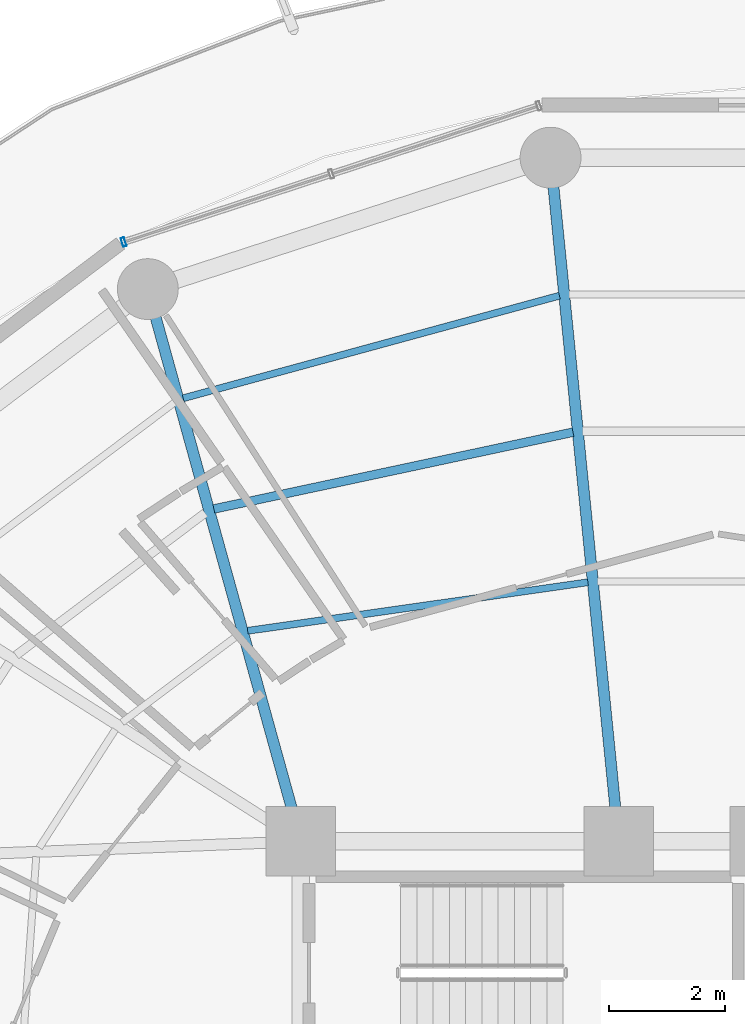
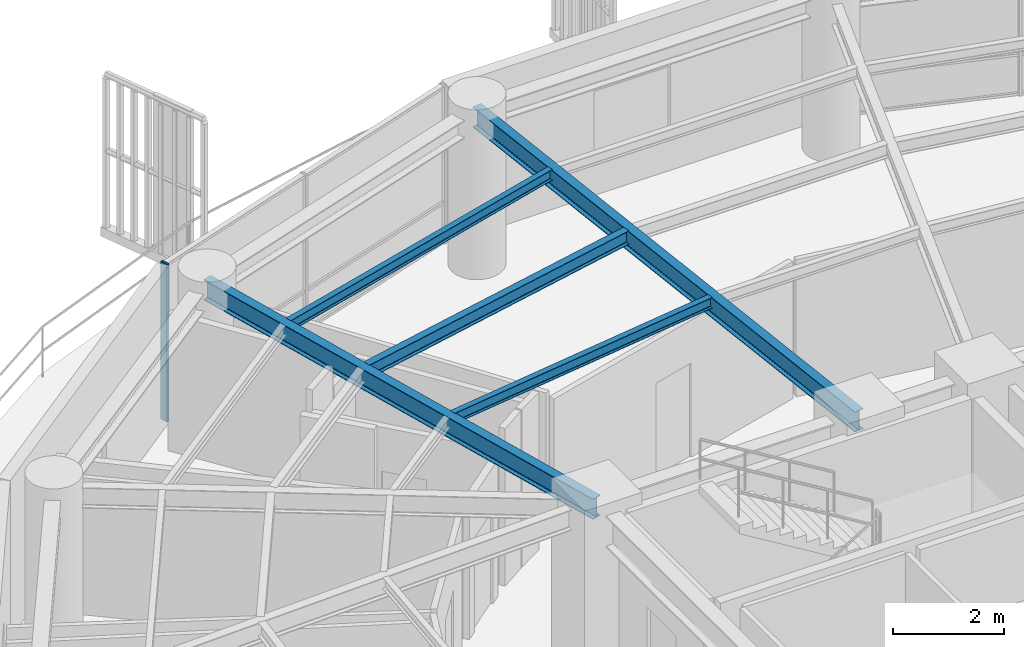
# One storey, part 18 of 31: 5 beams, 1 member, 1 element without a shape of its own.
"""IFC4 building model written with IfcOpenShell, lengths in metres."""

from ifc_helpers import new_model, si_unit, direction, frame, origin, origin_2d, place, context, subcontext, project, spatial, hollow_rectangle, i_section, extrude, material, layer, layer_set, material_profile, profile_set, type_object, element, aggregate, save


model = new_model("IFC4")

# Units and contexts
model_context = context("Model", 3, precision=1e-05, world=origin(), true_north=direction((0.0, 1.0)))
body_context = subcontext(model_context, "Body", "Model", "MODEL_VIEW")
ifc_project = project(units=[si_unit("LENGTHUNIT", "METRE"), si_unit("AREAUNIT", "SQUARE_METRE"), si_unit("VOLUMEUNIT", "CUBIC_METRE"), si_unit("PLANEANGLEUNIT", "RADIAN"), si_unit("MASSUNIT", "GRAM", prefix="KILO")], contexts=[model_context])

# Site, building, storey
site_placement = place(None, origin())
site = spatial("IfcSite", under=ifc_project, at=site_placement, CompositionType="ELEMENT")
building_placement = place(site_placement, origin())
building = spatial("IfcBuilding", under=site, at=building_placement, Name="Kelanora Arch Commons", CompositionType="ELEMENT")
storey_placement = place(building_placement, frame((0.0, 0.0, 196.949951171875)))
storey = spatial("IfcBuildingStorey", under=building, at=storey_placement, Name="L50", CompositionType="ELEMENT", Elevation=196.949951171875)

# Beams
ifc_material_1 = material(Name="Steel S355", Category="steel")
ifc_material_profile_1 = material_profile(ifc_material_1, i_section(OverallWidth=0.14990234375, OverallDepth=0.300048828125, WebThickness=0.007080078125, FlangeThickness=0.0107421875, FilletRadius=0.014892578125, at=origin_2d()), Name="IPE300")
ifc_profile_set_1 = profile_set([ifc_material_profile_1], Name="Steel S355")
beam_type_1 = type_object("IfcBeamType", Name="BM-JST-01", PredefinedType="JOIST", material=ifc_profile_set_1)
beam_1_placement = place(storey_placement, frame((70.69189453125, 72.056396484375, 3.340087890625), z_axis=(-0.977893715981, -0.209102559153, 0.0), x_axis=(0.209102559153, -0.977893715981, 0.0)))
element("IfcBeam", 1, at=beam_1_placement, inside=storey, type_object=beam_type_1, Name="Secondary Chord Joist BJB-10 L50", PredefinedType="JOIST", context=body_context, shape_type="SweptSolid", body=[
    extrude(i_section(OverallWidth=0.14990234375, OverallDepth=0.300048828125, WebThickness=0.007080078125, FlangeThickness=0.0107421875, FilletRadius=0.014892578125, at=origin_2d()), origin(), (0.0, 0.0, 1.0), 6.332763671875),
])
ifc_material_profile_2 = material_profile(ifc_material_1, i_section(OverallWidth=0.1201171875, OverallDepth=0.239990234375, WebThickness=0.006103515625, FlangeThickness=0.009765625, FilletRadius=0.014892578125, at=origin_2d()), Name="IPE240")
ifc_profile_set_2 = profile_set([ifc_material_profile_2], Name="Steel S355")
beam_type_2 = type_object("IfcBeamType", Name="BM-JST-02", PredefinedType="JOIST", material=ifc_profile_set_2)
beam_2_placement = place(storey_placement, frame((70.94921875, 69.46826171875, 3.3701171875), z_axis=(-0.989977480435, -0.141225310164, 0.0), x_axis=(0.141225310164, -0.989977480435, 0.0)))
element("IfcBeam", 2, at=beam_2_placement, inside=storey, type_object=beam_type_2, Name="Secondary Chord Joist BJA-10 L50", PredefinedType="JOIST", context=body_context, shape_type="SweptSolid", body=[
    extrude(i_section(OverallWidth=0.1201171875, OverallDepth=0.239990234375, WebThickness=0.006103515625, FlangeThickness=0.009765625, FilletRadius=0.014892578125, at=origin_2d()), origin(), (0.0, 0.0, 1.0), 5.927734375),
])
beam_3_placement = place(storey_placement, frame((70.457763671875, 74.40966796875, 3.3701171875), z_axis=(-0.964804863594, -0.262966870889, 0.0), x_axis=(0.262966870889, -0.964804863594, 0.0)))
element("IfcBeam", 3, at=beam_3_placement, inside=storey, type_object=beam_type_2, Name="Secondary Chord Joist BJC-10 L50", PredefinedType="JOIST", context=body_context, shape_type="SweptSolid", body=[
    extrude(i_section(OverallWidth=0.1201171875, OverallDepth=0.239990234375, WebThickness=0.006103515625, FlangeThickness=0.009765625, FilletRadius=0.014892578125, at=origin_2d()), origin(), (0.0, 0.0, 1.0), 6.724365234375),
])
ifc_material_profile_3 = material_profile(ifc_material_1, i_section(OverallWidth=0.18994140625, OverallDepth=0.449951171875, WebThickness=0.009521484375, FlangeThickness=0.0146484375, FilletRadius=0.02099609375, at=origin_2d()), Name="IPE450")
ifc_profile_set_3 = profile_set([ifc_material_profile_3], Name="Steel S355")
beam_type_3 = type_object("IfcBeamType", Name="BM-RAD-Z4", PredefinedType="BEAM", material=ifc_profile_set_3)
beam_4_placement = place(storey_placement, frame((71.47998046875, 65.0, 3.26513671875), z_axis=(-0.099193615558, 0.995068151753, 0.0), x_axis=(-0.995068151753, -0.099193615558, 0.0)))
element("IfcBeam", 4, at=beam_4_placement, inside=storey, type_object=beam_type_3, Name="Radial Floor Girder BR-10 L50", PredefinedType="BEAM", context=body_context, shape_type="SweptSolid", body=[
    extrude(i_section(OverallWidth=0.18994140625, OverallDepth=0.449951171875, WebThickness=0.009521484375, FlangeThickness=0.0146484375, FilletRadius=0.02099609375, at=origin_2d()), origin(), (0.0, 0.0, 1.0), 11.848388671875),
])
beam_5_placement = place(storey_placement, frame((66.0, 65.0, 3.26513671875), z_axis=(-0.267120164296, 0.963663228429, 0.0), x_axis=(-0.963663228429, -0.267120164296, 0.0)))
element("IfcBeam", 5, at=beam_5_placement, inside=storey, type_object=beam_type_3, Name="Radial Floor Girder BR-12 L50", PredefinedType="BEAM", context=body_context, shape_type="SweptSolid", body=[
    extrude(i_section(OverallWidth=0.18994140625, OverallDepth=0.449951171875, WebThickness=0.009521484375, FlangeThickness=0.0146484375, FilletRadius=0.02099609375, at=origin_2d()), origin(), (0.0, 0.0, 1.0), 9.8828125),
])

# Curtain wall, member
ifc_material_2 = material(Name="Terracotta ceramic-fritted low-E glass and aluminium", Category="masonry")
ifc_layer = layer(ifc_material_2, 0.175048828125)
ifc_layer_set = layer_set([ifc_layer], Name="Terracotta ceramic-fritted low-E glass and aluminium")
curtain_wall_type = type_object("IfcCurtainWallType", Name="CW-SYS-02", PredefinedType="NOTDEFINED", material=ifc_layer_set)
curtain_wall_placement = place(storey_placement, origin())
curtain_wall = element("IfcCurtainWall", 6, at=curtain_wall_placement, inside=storey, type_object=curtain_wall_type, Name="Unitised Curtain Wall L50-B05", PredefinedType="NOTDEFINED")
ifc_material_3 = material(Name="Powder-coated aluminium terracotta", Category="masonry")
ifc_material_profile_4 = material_profile(ifc_material_3, hollow_rectangle(XDim=0.159912109375, YDim=0.06005859375, WallThickness=0.0048828125, InnerFilletRadius=0.0048828125, OuterFilletRadius=0.010009765625, at=origin_2d()), Name="CWM160x60")
ifc_profile_set_4 = profile_set([ifc_material_profile_4], Name="Powder-coated aluminium terracotta")
member_type = type_object("IfcMemberType", Name="CWM-STD", PredefinedType="MULLION", material=ifc_profile_set_4)
member_placement = place(storey_placement, frame((62.94287109375, 75.33447265625, 0.0), z_axis=(0.0, 0.0, 1.0), x_axis=(0.311582439059, -0.950219124029, 0.0)))
member = element("IfcMember", 7, at=member_placement, type_object=member_type, Name="CW-02 mullion 3", PredefinedType="MULLION", context=body_context, shape_type="SweptSolid", body=[
    extrude(hollow_rectangle(XDim=0.159912109375, YDim=0.06005859375, WallThickness=0.0048828125, InnerFilletRadius=0.0048828125, OuterFilletRadius=0.010009765625, at=origin_2d()), origin(), (0.0, 0.0, 1.0), 3.47509765625),
])
aggregate(curtain_wall, [member])

save(model, "model.ifc")
